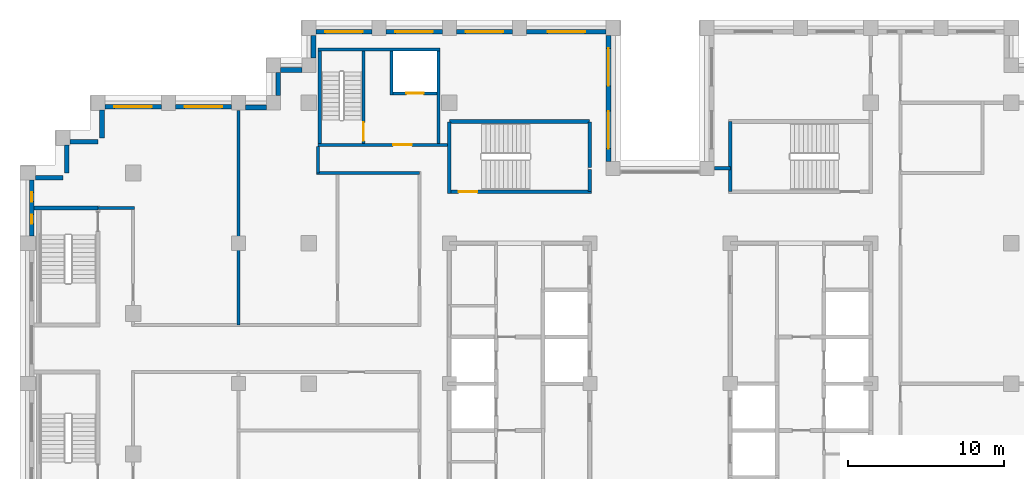
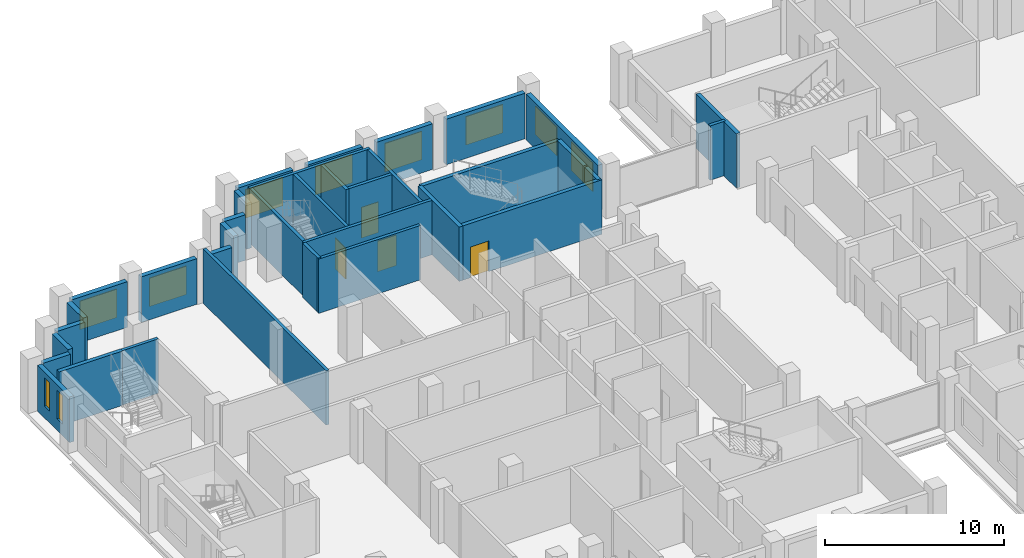
# One storey, part 10 of 15: 35 walls, 10 windows, 4 doors, 14 openings.
"""IFC4 building model written with IfcOpenShell, lengths in metres."""

from ifc_helpers import new_model, si_unit, direction, frame, frame_2d, origin, place, context, subcontext, project, spatial, rectangle, extrude, material, layer, layer_set, type_object, element, fill, save


model = new_model("IFC4")

# Units and contexts
model_context = context("Model", 3, precision=1e-05, world=origin(), true_north=direction((0.0, 1.0)))
body_context = subcontext(model_context, "Body", "Model", "MODEL_VIEW")
ifc_project = project(units=[si_unit("LENGTHUNIT", "METRE"), si_unit("AREAUNIT", "SQUARE_METRE"), si_unit("VOLUMEUNIT", "CUBIC_METRE"), si_unit("PLANEANGLEUNIT", "RADIAN"), si_unit("MASSUNIT", "GRAM", prefix="KILO")], contexts=[model_context])

# Site, building, storey
site_placement = place(None, origin())
site = spatial("IfcSite", under=ifc_project, at=site_placement, CompositionType="ELEMENT")
building_placement = place(site_placement, origin())
building = spatial("IfcBuilding", under=site, at=building_placement, Name="Corbelhall Arena Tower", CompositionType="ELEMENT")
storey_placement = place(building_placement, frame((0.0, 0.0, 216.0)))
storey = spatial("IfcBuildingStorey", under=building, at=storey_placement, Name="L45", CompositionType="ELEMENT", Elevation=216.0)

# Walls
ifc_material_1 = material(Name="Precast concrete C40/50 with granite facing", Category="masonry")
ifc_layer_1 = layer(ifc_material_1, 0.300048828125)
ifc_layer_set_1 = layer_set([ifc_layer_1], Name="EV-IW1 Infill panel 300")
wall_type_1 = type_object("IfcWallType", Name="EV-IW1 Infill panel 300", PredefinedType="SOLIDWALL", material=ifc_layer_set_1)
for number, where, z_axis, x_axis, name in (
    (1, (-35.75, 17.550048828125, 0.0), (0.0, 0.0, 1.0), (0.0, -1.0, 0.0), "Infill panel IW1"),
    (2, (-37.800048828125, 15.5, 0.0), (0.0, 0.0, 1.0), (1.0, 0.0, 0.0), "Infill panel IW1"),
    (3, (-38.0, 15.300048828125, 0.0), (0.0, 0.0, 1.0), (0.0, -1.0, 0.0), "Infill panel IW1"),
):
    element("IfcWall", number, at=place(storey_placement, frame(where, z_axis=z_axis, x_axis=x_axis)), inside=storey, type_object=wall_type_1, Name=name, PredefinedType="SOLIDWALL", context=body_context, shape_type="SweptSolid", body=[
        extrude(rectangle(XDim=1.800048828125, YDim=0.300048828125, at=frame_2d((0.89990234375, 0.0))), origin(), (0.0, 0.0, 1.0), 3.1201171875),
    ])
wall_1_placement = place(storey_placement, frame((-40.0, 13.199951171875, 0.0), z_axis=(0.0, 0.0, 1.0), x_axis=(1.0, 0.0, 0.0)))
element("IfcWall", 4, at=wall_1_placement, inside=storey, type_object=wall_type_1, Name="Infill panel IW1", PredefinedType="SOLIDWALL", context=body_context, shape_type="SweptSolid", body=[
    extrude(rectangle(XDim=1.75, YDim=0.300048828125, at=frame_2d((0.875, 0.0))), origin(), (0.0, 0.0, 1.0), 3.1201171875),
])
wall_2_placement = place(storey_placement, frame((-22.949951171875, 20.10009765625, 0.0), z_axis=(0.0, 0.0, 1.0), x_axis=(-1.0, 0.0, 0.0)))
element("IfcWall", 5, at=wall_2_placement, inside=storey, type_object=wall_type_1, Name="Infill panel IW1", PredefinedType="SOLIDWALL", context=body_context, shape_type="SweptSolid", body=[
    extrude(rectangle(XDim=1.35009765625, YDim=0.300048828125, at=frame_2d((0.675048828125, 0.0))), origin(), (0.0, 0.0, 1.0), 3.1201171875),
])
wall_3_placement = place(storey_placement, frame((-24.449951171875, 19.949951171875, 0.0), z_axis=(0.0, 0.0, 1.0), x_axis=(0.0, -1.0, 0.0)))
element("IfcWall", 6, at=wall_3_placement, inside=storey, type_object=wall_type_1, Name="Infill panel IW1", PredefinedType="SOLIDWALL", context=body_context, shape_type="SweptSolid", body=[
    extrude(rectangle(XDim=1.5, YDim=0.300048828125, at=frame_2d((0.75, 0.0))), origin(), (0.0, 0.0, 1.0), 3.1201171875),
])
wall_4_placement = place(storey_placement, frame((-25.199951171875, 17.699951171875, 0.0), z_axis=(0.0, 0.0, 1.0), x_axis=(-1.0, 0.0, 0.0)))
element("IfcWall", 7, at=wall_4_placement, inside=storey, type_object=wall_type_1, Name="Infill panel IW1", PredefinedType="SOLIDWALL", context=body_context, shape_type="SweptSolid", body=[
    extrude(rectangle(XDim=1.35009765625, YDim=0.300048828125, at=frame_2d((0.675048828125, 0.0))), origin(), (0.0, 0.0, 1.0), 3.1201171875),
])

# Wall, opening, window
wall_5_placement = place(storey_placement, frame((-27.449951171875, 17.75, 0.0), z_axis=(0.0, 0.0, 1.0), x_axis=(-1.0, 0.0, 0.0)))
wall_5 = element("IfcWall", 8, at=wall_5_placement, inside=storey, type_object=wall_type_1, Name="Infill panel IW1", PredefinedType="SOLIDWALL", context=body_context, shape_type="SweptSolid", body=[
    extrude(rectangle(XDim=3.60009765625, YDim=0.300048828125, at=frame_2d((1.800048828125, 0.0))), origin(), (0.0, 0.0, 1.0), 3.1201171875),
])
opening_1_placement = place(wall_5_placement, frame((0.60009765625, 0.0, 0.800048828125)))
opening_1 = element("IfcOpeningElement", 9, at=opening_1_placement, cuts=wall_5, Name="Opening WN1", PredefinedType="OPENING", context=body_context, shape_type="SweptSolid", body=[
    extrude(rectangle(XDim=2.39990234375, YDim=1.949951171875, at=frame_2d((1.199951171875, 0.97509765625))), frame((0.0, 0.14990234375, 0.0), z_axis=(0.0, -1.0, 0.0), x_axis=(1.0, 0.0, 0.0)), (0.0, 0.0, 1.0), 0.300048828125),
])
ifc_material_2 = material(Name="Aluminium black anodised", Category="aluminium")
window_type_1 = type_object("IfcWindowType", Name="EV-WN1 Office window", PartitioningType="SINGLE_PANEL", PredefinedType="WINDOW", material=ifc_material_2)
window_1_placement = place(opening_1_placement, origin())
window_1 = element("IfcWindow", 10, at=window_1_placement, inside=storey, type_object=window_type_1, Name="Window WN1", OverallHeight=1.949951171875, OverallWidth=2.39990234375, PartitioningType="SINGLE_PANEL", PredefinedType="WINDOW", context=body_context, shape_type="SweptSolid", body=[
    extrude(rectangle(XDim=2.39990234375, YDim=1.949951171875, at=frame_2d((1.199951171875, 0.97509765625))), frame((0.0, 0.030029296875, 0.0), z_axis=(0.0, -1.0, 0.0), x_axis=(1.0, 0.0, 0.0)), (0.0, 0.0, 1.0), 0.06005859375),
])
fill(opening_1, window_1)

wall_6_placement = place(storey_placement, frame((-31.949951171875, 17.75, 0.0), z_axis=(0.0, 0.0, 1.0), x_axis=(-1.0, 0.0, 0.0)))
wall_6 = element("IfcWall", 11, at=wall_6_placement, inside=storey, type_object=wall_type_1, Name="Infill panel IW1", PredefinedType="SOLIDWALL", context=body_context, shape_type="SweptSolid", body=[
    extrude(rectangle(XDim=3.60009765625, YDim=0.300048828125, at=frame_2d((1.800048828125, 0.0))), origin(), (0.0, 0.0, 1.0), 3.1201171875),
])
opening_2_placement = place(wall_6_placement, frame((0.60009765625, 0.0, 0.800048828125)))
opening_2 = element("IfcOpeningElement", 12, at=opening_2_placement, cuts=wall_6, Name="Opening WN1", PredefinedType="OPENING", context=body_context, shape_type="SweptSolid", body=[
    extrude(rectangle(XDim=2.39990234375, YDim=1.949951171875, at=frame_2d((1.199951171875, 0.97509765625))), frame((0.0, 0.14990234375, 0.0), z_axis=(0.0, -1.0, 0.0), x_axis=(1.0, 0.0, 0.0)), (0.0, 0.0, 1.0), 0.300048828125),
])
window_2_placement = place(opening_2_placement, origin())
window_2 = element("IfcWindow", 13, at=window_2_placement, inside=storey, type_object=window_type_1, Name="Window WN1", OverallHeight=1.949951171875, OverallWidth=2.39990234375, PartitioningType="SINGLE_PANEL", PredefinedType="WINDOW", context=body_context, shape_type="SweptSolid", body=[
    extrude(rectangle(XDim=2.39990234375, YDim=1.949951171875, at=frame_2d((1.199951171875, 0.97509765625))), frame((0.0, 0.030029296875, 0.0), z_axis=(0.0, -1.0, 0.0), x_axis=(1.0, 0.0, 0.0)), (0.0, 0.0, 1.0), 0.06005859375),
])
fill(opening_2, window_2)

# Wall, openings, windows
wall_7_placement = place(storey_placement, frame((-40.25, 13.050048828125, 0.0), z_axis=(0.0, 0.0, 1.0), x_axis=(0.0, -1.0, 0.0)))
wall_7 = element("IfcWall", 14, at=wall_7_placement, inside=storey, type_object=wall_type_1, Name="Infill panel IW1", PredefinedType="SOLIDWALL", context=body_context, shape_type="SweptSolid", body=[
    extrude(rectangle(XDim=3.60009765625, YDim=0.300048828125, at=frame_2d((1.800048828125, 0.0))), origin(), (0.0, 0.0, 1.0), 3.1201171875),
])
opening_3_placement = place(wall_7_placement, frame((0.78759765625, 0.0, 0.800048828125)))
opening_3 = element("IfcOpeningElement", 15, at=opening_3_placement, cuts=wall_7, Name="Opening WN5", PredefinedType="OPENING", context=body_context, shape_type="SweptSolid", body=[
    extrude(rectangle(XDim=0.60009765625, YDim=1.949951171875, at=frame_2d((0.300048828125, 0.97509765625))), frame((0.0, 0.14990234375, 0.0), z_axis=(0.0, -1.0, 0.0), x_axis=(1.0, 0.0, 0.0)), (0.0, 0.0, 1.0), 0.300048828125),
])
opening_4_placement = place(wall_7_placement, frame((2.21240234375, 0.0, 0.800048828125)))
opening_4 = element("IfcOpeningElement", 16, at=opening_4_placement, cuts=wall_7, Name="Opening WN5", PredefinedType="OPENING", context=body_context, shape_type="SweptSolid", body=[
    extrude(rectangle(XDim=0.60009765625, YDim=1.949951171875, at=frame_2d((0.300048828125, 0.97509765625))), frame((0.0, 0.14990234375, 0.0), z_axis=(0.0, -1.0, 0.0), x_axis=(1.0, 0.0, 0.0)), (0.0, 0.0, 1.0), 0.300048828125),
])
window_type_2 = type_object("IfcWindowType", Name="EV-WN5 Office window 600", PartitioningType="SINGLE_PANEL", PredefinedType="WINDOW", material=ifc_material_2)
window_3_placement = place(opening_3_placement, origin())
window_3 = element("IfcWindow", 17, at=window_3_placement, inside=storey, type_object=window_type_2, Name="Window WN5", OverallHeight=1.949951171875, OverallWidth=0.60009765625, PartitioningType="SINGLE_PANEL", PredefinedType="WINDOW", context=body_context, shape_type="SweptSolid", body=[
    extrude(rectangle(XDim=0.60009765625, YDim=1.949951171875, at=frame_2d((0.300048828125, 0.97509765625))), frame((0.0, 0.030029296875, 0.0), z_axis=(0.0, -1.0, 0.0), x_axis=(1.0, 0.0, 0.0)), (0.0, 0.0, 1.0), 0.06005859375),
])
fill(opening_3, window_3)
window_4_placement = place(opening_4_placement, origin())
window_4 = element("IfcWindow", 18, at=window_4_placement, inside=storey, type_object=window_type_2, Name="Window WN5", OverallHeight=1.949951171875, OverallWidth=0.60009765625, PartitioningType="SINGLE_PANEL", PredefinedType="WINDOW", context=body_context, shape_type="SweptSolid", body=[
    extrude(rectangle(XDim=0.60009765625, YDim=1.949951171875, at=frame_2d((0.300048828125, 0.97509765625))), frame((0.0, 0.030029296875, 0.0), z_axis=(0.0, -1.0, 0.0), x_axis=(1.0, 0.0, 0.0)), (0.0, 0.0, 1.0), 0.06005859375),
])
fill(opening_4, window_4)

wall_8_placement = place(storey_placement, frame((-3.300048828125, 14.25, 0.0), z_axis=(0.0, 0.0, 1.0), x_axis=(0.0, 1.0, 0.0)))
wall_8 = element("IfcWall", 19, at=wall_8_placement, inside=storey, type_object=wall_type_1, Name="Infill panel IW1", PredefinedType="SOLIDWALL", context=body_context, shape_type="SweptSolid", body=[
    extrude(rectangle(XDim=8.050048828125, YDim=0.300048828125, at=frame_2d((4.02490234375, 0.0))), origin(), (0.0, 0.0, 1.0), 3.1201171875),
])
opening_5_placement = place(wall_8_placement, frame((0.8125, 0.0, 0.800048828125)))
opening_5 = element("IfcOpeningElement", 20, at=opening_5_placement, cuts=wall_8, Name="Opening WN1", PredefinedType="OPENING", context=body_context, shape_type="SweptSolid", body=[
    extrude(rectangle(XDim=2.39990234375, YDim=1.949951171875, at=frame_2d((1.199951171875, 0.97509765625))), frame((0.0, 0.14990234375, 0.0), z_axis=(0.0, -1.0, 0.0), x_axis=(1.0, 0.0, 0.0)), (0.0, 0.0, 1.0), 0.300048828125),
])
opening_6_placement = place(wall_8_placement, frame((4.83740234375, 0.0, 0.800048828125)))
opening_6 = element("IfcOpeningElement", 21, at=opening_6_placement, cuts=wall_8, Name="Opening WN1", PredefinedType="OPENING", context=body_context, shape_type="SweptSolid", body=[
    extrude(rectangle(XDim=2.39990234375, YDim=1.949951171875, at=frame_2d((1.199951171875, 0.97509765625))), frame((0.0, 0.14990234375, 0.0), z_axis=(0.0, -1.0, 0.0), x_axis=(1.0, 0.0, 0.0)), (0.0, 0.0, 1.0), 0.300048828125),
])
window_5_placement = place(opening_5_placement, origin())
window_5 = element("IfcWindow", 22, at=window_5_placement, inside=storey, type_object=window_type_1, Name="Window WN1", OverallHeight=1.949951171875, OverallWidth=2.39990234375, PartitioningType="SINGLE_PANEL", PredefinedType="WINDOW", context=body_context, shape_type="SweptSolid", body=[
    extrude(rectangle(XDim=2.39990234375, YDim=1.949951171875, at=frame_2d((1.199951171875, 0.97509765625))), frame((0.0, 0.030029296875, 0.0), z_axis=(0.0, -1.0, 0.0), x_axis=(1.0, 0.0, 0.0)), (0.0, 0.0, 1.0), 0.06005859375),
])
fill(opening_5, window_5)
window_6_placement = place(opening_6_placement, origin())
window_6 = element("IfcWindow", 23, at=window_6_placement, inside=storey, type_object=window_type_1, Name="Window WN1", OverallHeight=1.949951171875, OverallWidth=2.39990234375, PartitioningType="SINGLE_PANEL", PredefinedType="WINDOW", context=body_context, shape_type="SweptSolid", body=[
    extrude(rectangle(XDim=2.39990234375, YDim=1.949951171875, at=frame_2d((1.199951171875, 0.97509765625))), frame((0.0, 0.030029296875, 0.0), z_axis=(0.0, -1.0, 0.0), x_axis=(1.0, 0.0, 0.0)), (0.0, 0.0, 1.0), 0.06005859375),
])
fill(opening_6, window_6)

# Wall, opening, window
wall_9_placement = place(storey_placement, frame((-3.449951171875, 22.550048828125, 0.0), z_axis=(0.0, 0.0, 1.0), x_axis=(-1.0, 0.0, 0.0)))
wall_9 = element("IfcWall", 24, at=wall_9_placement, inside=storey, type_object=wall_type_1, Name="Infill panel IW1", PredefinedType="SOLIDWALL", context=body_context, shape_type="SweptSolid", body=[
    extrude(rectangle(XDim=5.10009765625, YDim=0.300048828125, at=frame_2d((2.550048828125, 0.0))), origin(), (0.0, 0.0, 1.0), 3.1201171875),
])
opening_7_placement = place(wall_9_placement, frame((1.35009765625, 0.0, 0.800048828125)))
opening_7 = element("IfcOpeningElement", 25, at=opening_7_placement, cuts=wall_9, Name="Opening WN1", PredefinedType="OPENING", context=body_context, shape_type="SweptSolid", body=[
    extrude(rectangle(XDim=2.39990234375, YDim=1.949951171875, at=frame_2d((1.199951171875, 0.97509765625))), frame((0.0, 0.14990234375, 0.0), z_axis=(0.0, -1.0, 0.0), x_axis=(1.0, 0.0, 0.0)), (0.0, 0.0, 1.0), 0.300048828125),
])
window_7_placement = place(opening_7_placement, origin())
window_7 = element("IfcWindow", 26, at=window_7_placement, inside=storey, type_object=window_type_1, Name="Window WN1", OverallHeight=1.949951171875, OverallWidth=2.39990234375, PartitioningType="SINGLE_PANEL", PredefinedType="WINDOW", context=body_context, shape_type="SweptSolid", body=[
    extrude(rectangle(XDim=2.39990234375, YDim=1.949951171875, at=frame_2d((1.199951171875, 0.97509765625))), frame((0.0, 0.030029296875, 0.0), z_axis=(0.0, -1.0, 0.0), x_axis=(1.0, 0.0, 0.0)), (0.0, 0.0, 1.0), 0.06005859375),
])
fill(opening_7, window_7)

wall_10_placement = place(storey_placement, frame((-9.449951171875, 22.550048828125, 0.0), z_axis=(0.0, 0.0, 1.0), x_axis=(-1.0, 0.0, 0.0)))
wall_10 = element("IfcWall", 27, at=wall_10_placement, inside=storey, type_object=wall_type_1, Name="Infill panel IW1", PredefinedType="SOLIDWALL", context=body_context, shape_type="SweptSolid", body=[
    extrude(rectangle(XDim=3.60009765625, YDim=0.300048828125, at=frame_2d((1.800048828125, 0.0))), origin(), (0.0, 0.0, 1.0), 3.1201171875),
])
opening_8_placement = place(wall_10_placement, frame((0.60009765625, 0.0, 0.800048828125)))
opening_8 = element("IfcOpeningElement", 28, at=opening_8_placement, cuts=wall_10, Name="Opening WN1", PredefinedType="OPENING", context=body_context, shape_type="SweptSolid", body=[
    extrude(rectangle(XDim=2.39990234375, YDim=1.949951171875, at=frame_2d((1.199951171875, 0.97509765625))), frame((0.0, 0.14990234375, 0.0), z_axis=(0.0, -1.0, 0.0), x_axis=(1.0, 0.0, 0.0)), (0.0, 0.0, 1.0), 0.300048828125),
])
window_8_placement = place(opening_8_placement, origin())
window_8 = element("IfcWindow", 29, at=window_8_placement, inside=storey, type_object=window_type_1, Name="Window WN1", OverallHeight=1.949951171875, OverallWidth=2.39990234375, PartitioningType="SINGLE_PANEL", PredefinedType="WINDOW", context=body_context, shape_type="SweptSolid", body=[
    extrude(rectangle(XDim=2.39990234375, YDim=1.949951171875, at=frame_2d((1.199951171875, 0.97509765625))), frame((0.0, 0.030029296875, 0.0), z_axis=(0.0, -1.0, 0.0), x_axis=(1.0, 0.0, 0.0)), (0.0, 0.0, 1.0), 0.06005859375),
])
fill(opening_8, window_8)

wall_11_placement = place(storey_placement, frame((-13.949951171875, 22.550048828125, 0.0), z_axis=(0.0, 0.0, 1.0), x_axis=(-1.0, 0.0, 0.0)))
wall_11 = element("IfcWall", 30, at=wall_11_placement, inside=storey, type_object=wall_type_1, Name="Infill panel IW1", PredefinedType="SOLIDWALL", context=body_context, shape_type="SweptSolid", body=[
    extrude(rectangle(XDim=3.60009765625, YDim=0.300048828125, at=frame_2d((1.800048828125, 0.0))), origin(), (0.0, 0.0, 1.0), 3.1201171875),
])
opening_9_placement = place(wall_11_placement, frame((0.60009765625, 0.0, 0.800048828125)))
opening_9 = element("IfcOpeningElement", 31, at=opening_9_placement, cuts=wall_11, Name="Opening WN1", PredefinedType="OPENING", context=body_context, shape_type="SweptSolid", body=[
    extrude(rectangle(XDim=2.39990234375, YDim=1.949951171875, at=frame_2d((1.199951171875, 0.97509765625))), frame((0.0, 0.14990234375, 0.0), z_axis=(0.0, -1.0, 0.0), x_axis=(1.0, 0.0, 0.0)), (0.0, 0.0, 1.0), 0.300048828125),
])
window_9_placement = place(opening_9_placement, origin())
window_9 = element("IfcWindow", 32, at=window_9_placement, inside=storey, type_object=window_type_1, Name="Window WN1", OverallHeight=1.949951171875, OverallWidth=2.39990234375, PartitioningType="SINGLE_PANEL", PredefinedType="WINDOW", context=body_context, shape_type="SweptSolid", body=[
    extrude(rectangle(XDim=2.39990234375, YDim=1.949951171875, at=frame_2d((1.199951171875, 0.97509765625))), frame((0.0, 0.030029296875, 0.0), z_axis=(0.0, -1.0, 0.0), x_axis=(1.0, 0.0, 0.0)), (0.0, 0.0, 1.0), 0.06005859375),
])
fill(opening_9, window_9)

wall_12_placement = place(storey_placement, frame((-18.449951171875, 22.550048828125, 0.0), z_axis=(0.0, 0.0, 1.0), x_axis=(-1.0, 0.0, 0.0)))
wall_12 = element("IfcWall", 33, at=wall_12_placement, inside=storey, type_object=wall_type_1, Name="Infill panel IW1", PredefinedType="SOLIDWALL", context=body_context, shape_type="SweptSolid", body=[
    extrude(rectangle(XDim=3.60009765625, YDim=0.300048828125, at=frame_2d((1.800048828125, 0.0))), origin(), (0.0, 0.0, 1.0), 3.1201171875),
])
opening_10_placement = place(wall_12_placement, frame((0.60009765625, 0.0, 0.800048828125)))
opening_10 = element("IfcOpeningElement", 34, at=opening_10_placement, cuts=wall_12, Name="Opening WN1", PredefinedType="OPENING", context=body_context, shape_type="SweptSolid", body=[
    extrude(rectangle(XDim=2.39990234375, YDim=1.949951171875, at=frame_2d((1.199951171875, 0.97509765625))), frame((0.0, 0.14990234375, 0.0), z_axis=(0.0, -1.0, 0.0), x_axis=(1.0, 0.0, 0.0)), (0.0, 0.0, 1.0), 0.300048828125),
])
window_10_placement = place(opening_10_placement, origin())
window_10 = element("IfcWindow", 35, at=window_10_placement, inside=storey, type_object=window_type_1, Name="Window WN1", OverallHeight=1.949951171875, OverallWidth=2.39990234375, PartitioningType="SINGLE_PANEL", PredefinedType="WINDOW", context=body_context, shape_type="SweptSolid", body=[
    extrude(rectangle(XDim=2.39990234375, YDim=1.949951171875, at=frame_2d((1.199951171875, 0.97509765625))), frame((0.0, 0.030029296875, 0.0), z_axis=(0.0, -1.0, 0.0), x_axis=(1.0, 0.0, 0.0)), (0.0, 0.0, 1.0), 0.06005859375),
])
fill(opening_10, window_10)

# Walls
wall_13_placement = place(storey_placement, frame((-22.199951171875, 22.300048828125, 0.0), z_axis=(0.0, 0.0, 1.0), x_axis=(0.0, -1.0, 0.0)))
element("IfcWall", 36, at=wall_13_placement, inside=storey, type_object=wall_type_1, Name="Infill panel IW1", PredefinedType="SOLIDWALL", context=body_context, shape_type="SweptSolid", body=[
    extrude(rectangle(XDim=1.449951171875, YDim=0.300048828125, at=frame_2d((0.72509765625, 0.0))), origin(), (0.0, 0.0, 1.0), 3.1201171875),
])
ifc_material_3 = material(Name="Gypsum board on steel stud, acoustic", Category="steel")
ifc_layer_2 = layer(ifc_material_3, 0.199951171875)
ifc_layer_set_2 = layer_set([ifc_layer_2], Name="IN-W-DM200")
wall_type_2 = type_object("IfcWallType", Name="IN-W-DM200", PredefinedType="PARTITIONING", material=ifc_layer_set_2)
wall_14_placement = place(storey_placement, frame((-36.0, 11.25, 0.0), z_axis=(0.0, 0.0, 1.0), x_axis=(1.0, 0.0, 0.0)))
element("IfcWall", 37, at=wall_14_placement, inside=storey, type_object=wall_type_2, Name="Partition 001", PredefinedType="PARTITIONING", context=body_context, shape_type="SweptSolid", body=[
    extrude(rectangle(XDim=2.35009765625, YDim=0.199951171875, at=frame_2d((1.175048828125, 0.0))), origin(), (0.0, 0.0, 1.0), 3.719970703125),
])
wall_15_placement = place(storey_placement, frame((-27.0, 3.75, 0.0), z_axis=(0.0, 0.0, 1.0), x_axis=(0.0, 1.0, 0.0)))
element("IfcWall", 38, at=wall_15_placement, inside=storey, type_object=wall_type_2, Name="Partition 010", PredefinedType="PARTITIONING", context=body_context, shape_type="SweptSolid", body=[
    extrude(rectangle(XDim=13.75, YDim=0.199951171875, at=frame_2d((6.875, 0.0))), origin(), (0.0, 0.0, 1.0), 3.719970703125),
])
wall_16_placement = place(storey_placement, frame((-21.89990234375, 13.5, 0.0), z_axis=(0.0, 0.0, 1.0), x_axis=(0.0, 1.0, 0.0)))
element("IfcWall", 39, at=wall_16_placement, inside=storey, type_object=wall_type_2, Name="Partition 012", PredefinedType="PARTITIONING", context=body_context, shape_type="SweptSolid", body=[
    extrude(rectangle(XDim=1.699951171875, YDim=0.199951171875, at=frame_2d((0.85009765625, 0.0))), origin(), (0.0, 0.0, 1.0), 3.719970703125),
])
wall_17_placement = place(storey_placement, frame((-15.39990234375, 13.5, 0.0), z_axis=(0.0, 0.0, 1.0), x_axis=(-1.0, 0.0, 0.0)))
element("IfcWall", 40, at=wall_17_placement, inside=storey, type_object=wall_type_2, Name="Partition 014", PredefinedType="PARTITIONING", context=body_context, shape_type="SweptSolid", body=[
    extrude(rectangle(XDim=6.60009765625, YDim=0.199951171875, at=frame_2d((3.300048828125, 0.0))), origin(), (0.0, 0.0, 1.0), 3.719970703125),
])
wall_18_placement = place(storey_placement, frame((3.50048828125, 13.800048828125, 0.0), z_axis=(0.0, 0.0, 1.0), x_axis=(1.0, 0.0, 0.0)))
element("IfcWall", 41, at=wall_18_placement, inside=storey, type_object=wall_type_2, Name="Partition 021", PredefinedType="PARTITIONING", context=body_context, shape_type="SweptSolid", body=[
    extrude(rectangle(XDim=0.9990234375, YDim=0.199951171875, at=frame_2d((0.49951171875, 0.0))), origin(), (0.0, 0.0, 1.0), 3.719970703125),
])

# Wall, opening, door
ifc_material_4 = material(Name="Concrete C40/50", Category="concrete")
ifc_layer_3 = layer(ifc_material_4, 0.199951171875)
ifc_layer_set_3 = layer_set([ifc_layer_3], Name="IN-W-EAR200")
wall_type_3 = type_object("IfcWallType", Name="IN-W-EAR200", PredefinedType="SOLIDWALL", material=ifc_layer_set_3)
wall_19_placement = place(storey_placement, frame((-21.89990234375, 15.300048828125, 0.0), z_axis=(0.0, 0.0, 1.0), x_axis=(1.0, 0.0, 0.0)))
wall_19 = element("IfcWall", 42, at=wall_19_placement, inside=storey, type_object=wall_type_3, Name="Fire service turret wall south", PredefinedType="SOLIDWALL", context=body_context, shape_type="SweptSolid", body=[
    extrude(rectangle(XDim=8.27490234375, YDim=0.199951171875, at=frame_2d((4.137451171875, 0.0))), origin(), (0.0, 0.0, 1.0), 3.719970703125),
])
opening_11_placement = place(wall_19_placement, frame((4.800048828125, 0.0, 0.0)))
opening_11 = element("IfcOpeningElement", 43, at=opening_11_placement, cuts=wall_19, Name="Opening E132", PredefinedType="OPENING", context=body_context, shape_type="SweptSolid", body=[
    extrude(rectangle(XDim=1.199951171875, YDim=2.10009765625, at=frame_2d((0.60009765625, 1.050048828125))), frame((0.0, 0.10009765625, 0.0), z_axis=(0.0, -1.0, 0.0), x_axis=(1.0, 0.0, 0.0)), (0.0, 0.0, 1.0), 0.199951171875),
])
ifc_material_5 = material(Name="Steel door set", Category="steel")
door_type_1 = type_object("IfcDoorType", Name="IN-D-ST120", OperationType="NOTDEFINED", PredefinedType="DOOR", material=ifc_material_5)
door_1_placement = place(opening_11_placement, origin())
door_1 = element("IfcDoor", 44, at=door_1_placement, inside=storey, type_object=door_type_1, Name="Door from fire service lift lobby to circulation", OperationType="SINGLE_SWING_RIGHT", OverallHeight=2.10009765625, OverallWidth=1.199951171875, PredefinedType="DOOR", context=body_context, shape_type="SweptSolid", body=[
    extrude(rectangle(XDim=1.199951171875, YDim=2.10009765625, at=frame_2d((0.60009765625, 1.050048828125))), frame((0.0, 0.02490234375, 0.0), z_axis=(0.0, -1.0, 0.0), x_axis=(1.0, 0.0, 0.0)), (0.0, 0.0, 1.0), 0.050048828125),
])
fill(opening_11, door_1)

# Walls
wall_20_placement = place(storey_placement, frame((-21.89990234375, 21.39990234375, 0.0), z_axis=(0.0, 0.0, 1.0), x_axis=(1.0, 0.0, 0.0)))
element("IfcWall", 45, at=wall_20_placement, inside=storey, type_object=wall_type_3, Name="Fire service turret wall north", PredefinedType="SOLIDWALL", context=body_context, shape_type="SweptSolid", body=[
    extrude(rectangle(XDim=7.7998046875, YDim=0.199951171875, at=frame_2d((3.89990234375, 0.0))), origin(), (0.0, 0.0, 1.0), 3.719970703125),
])
for number, where, z_axis, x_axis, name in (
    (46, (-21.800048828125, 15.39990234375, 0.0), (0.0, 0.0, 1.0), (0.0, 1.0, 0.0), "Fire service turret wall west"),
    (47, (-14.199951171875, 15.39990234375, 0.0), (0.0, 0.0, 1.0), (0.0, 1.0, 0.0), "Fire service turret wall east"),
):
    element("IfcWall", number, at=place(storey_placement, frame(where, z_axis=z_axis, x_axis=x_axis)), inside=storey, type_object=wall_type_3, Name=name, PredefinedType="SOLIDWALL", context=body_context, shape_type="SweptSolid", body=[
        extrude(rectangle(XDim=5.900146484375, YDim=0.199951171875, at=frame_2d((2.9501953125, 0.0))), origin(), (0.0, 0.0, 1.0), 3.719970703125),
    ])

# Wall, opening, door
wall_21_placement = place(storey_placement, frame((-18.989990234375, 15.39990234375, 0.0), z_axis=(0.0, 0.0, 1.0), x_axis=(0.0, 1.0, 0.0)))
wall_21 = element("IfcWall", 48, at=wall_21_placement, inside=storey, type_object=wall_type_3, Name="Fire service turret wall stair", PredefinedType="SOLIDWALL", context=body_context, shape_type="SweptSolid", body=[
    extrude(rectangle(XDim=5.900146484375, YDim=0.199951171875, at=frame_2d((2.9501953125, 0.0))), origin(), (0.0, 0.0, 1.0), 3.719970703125),
])
opening_12_placement = place(wall_21_placement, frame((0.14990234375, 0.0, 0.0)))
opening_12 = element("IfcOpeningElement", 49, at=opening_12_placement, cuts=wall_21, Name="Opening E131", PredefinedType="OPENING", context=body_context, shape_type="SweptSolid", body=[
    extrude(rectangle(XDim=1.199951171875, YDim=2.10009765625, at=frame_2d((0.60009765625, 1.050048828125))), frame((0.0, 0.10009765625, 0.0), z_axis=(0.0, -1.0, 0.0), x_axis=(1.0, 0.0, 0.0)), (0.0, 0.0, 1.0), 0.199951171875),
])
door_2_placement = place(opening_12_placement, origin())
door_2 = element("IfcDoor", 50, at=door_2_placement, inside=storey, type_object=door_type_1, Name="Stair door to fire service lobby", OperationType="SINGLE_SWING_LEFT", OverallHeight=2.10009765625, OverallWidth=1.199951171875, PredefinedType="DOOR", context=body_context, shape_type="SweptSolid", body=[
    extrude(rectangle(XDim=1.199951171875, YDim=2.10009765625, at=frame_2d((0.60009765625, 1.050048828125))), frame((0.0, 0.02490234375, 0.0), z_axis=(0.0, -1.0, 0.0), x_axis=(1.0, 0.0, 0.0)), (0.0, 0.0, 1.0), 0.050048828125),
])
fill(opening_12, door_2)

# Wall
wall_22_placement = place(storey_placement, frame((-17.199951171875, 18.5, 0.0), z_axis=(0.0, 0.0, 1.0), x_axis=(0.0, 1.0, 0.0)))
element("IfcWall", 51, at=wall_22_placement, inside=storey, type_object=wall_type_3, Name="Fire service turret wall hoistway west", PredefinedType="SOLIDWALL", context=body_context, shape_type="SweptSolid", body=[
    extrude(rectangle(XDim=2.800048828125, YDim=0.199951171875, at=frame_2d((1.39990234375, 0.0))), origin(), (0.0, 0.0, 1.0), 3.719970703125),
])

# Wall, opening, door
wall_23_placement = place(storey_placement, frame((-17.10009765625, 18.60009765625, 0.0), z_axis=(0.0, 0.0, 1.0), x_axis=(1.0, 0.0, 0.0)))
wall_23 = element("IfcWall", 52, at=wall_23_placement, inside=storey, type_object=wall_type_3, Name="Fire service turret wall hoistway south", PredefinedType="SOLIDWALL", context=body_context, shape_type="SweptSolid", body=[
    extrude(rectangle(XDim=2.800048828125, YDim=0.199951171875, at=frame_2d((1.39990234375, 0.0))), origin(), (0.0, 0.0, 1.0), 3.719970703125),
])
opening_13_placement = place(wall_23_placement, frame((0.85009765625, 0.0, 0.0)))
opening_13 = element("IfcOpeningElement", 53, at=opening_13_placement, cuts=wall_23, Name="Opening LD", PredefinedType="OPENING", context=body_context, shape_type="SweptSolid", body=[
    extrude(rectangle(XDim=1.10009765625, YDim=2.10009765625, at=frame_2d((0.550048828125, 1.050048828125))), frame((0.0, 0.10009765625, 0.0), z_axis=(0.0, -1.0, 0.0), x_axis=(1.0, 0.0, 0.0)), (0.0, 0.0, 1.0), 0.199951171875),
])
door_type_2 = type_object("IfcDoorType", Name="IN-D-LD110", OperationType="NOTDEFINED", PredefinedType="DOOR", material=ifc_material_5)
door_3_placement = place(opening_13_placement, origin())
door_3 = element("IfcDoor", 54, at=door_3_placement, inside=storey, type_object=door_type_2, Name="Landing door FS1", OperationType="SLIDING_TO_LEFT", OverallHeight=2.10009765625, OverallWidth=1.10009765625, PredefinedType="DOOR", context=body_context, shape_type="SweptSolid", body=[
    extrude(rectangle(XDim=1.10009765625, YDim=2.10009765625, at=frame_2d((0.550048828125, 1.050048828125))), frame((0.0, 0.02490234375, 0.0), z_axis=(0.0, -1.0, 0.0), x_axis=(1.0, 0.0, 0.0)), (0.0, 0.0, 1.0), 0.050048828125),
])
fill(opening_13, door_3)

# Wall
ifc_layer_4 = layer(ifc_material_4, 0.25)
ifc_layer_set_4 = layer_set([ifc_layer_4], Name="IN-W-ST250")
wall_type_4 = type_object("IfcWallType", Name="IN-W-ST250", PredefinedType="SOLIDWALL", material=ifc_layer_set_4)
wall_24_placement = place(storey_placement, frame((-40.10009765625, 11.25, 0.0), z_axis=(0.0, 0.0, 1.0), x_axis=(1.0, 0.0, 0.0)))
element("IfcWall", 55, at=wall_24_placement, inside=storey, type_object=wall_type_4, Name="Shaft wall 076", PredefinedType="SOLIDWALL", context=body_context, shape_type="SweptSolid", body=[
    extrude(rectangle(XDim=4.10009765625, YDim=0.25, at=frame_2d((2.050048828125, 0.0))), origin(), (0.0, 0.0, 1.0), 3.719970703125),
])

# Wall, opening, door
wall_25_placement = place(storey_placement, frame((-13.5, 12.300048828125, 0.0), z_axis=(0.0, 0.0, 1.0), x_axis=(1.0, 0.0, 0.0)))
wall_25 = element("IfcWall", 56, at=wall_25_placement, inside=storey, type_object=wall_type_4, Name="Shaft wall 082", PredefinedType="SOLIDWALL", context=body_context, shape_type="SweptSolid", body=[
    extrude(rectangle(XDim=9.125, YDim=0.25, at=frame_2d((4.5625, 0.0))), origin(), (0.0, 0.0, 1.0), 3.719970703125),
])
opening_14_placement = place(wall_25_placement, frame((0.60009765625, 0.0, 0.0)))
opening_14 = element("IfcOpeningElement", 57, at=opening_14_placement, cuts=wall_25, Name="Opening 13015", PredefinedType="OPENING", context=body_context, shape_type="SweptSolid", body=[
    extrude(rectangle(XDim=1.199951171875, YDim=2.10009765625, at=frame_2d((0.60009765625, 1.050048828125))), frame((0.0, 0.125, 0.0), z_axis=(0.0, -1.0, 0.0), x_axis=(1.0, 0.0, 0.0)), (0.0, 0.0, 1.0), 0.25),
])
door_4_placement = place(opening_14_placement, origin())
door_4 = element("IfcDoor", 58, at=door_4_placement, inside=storey, type_object=door_type_1, Name="Door 015", OperationType="SINGLE_SWING_RIGHT", OverallHeight=2.10009765625, OverallWidth=1.199951171875, PredefinedType="DOOR", context=body_context, shape_type="SweptSolid", body=[
    extrude(rectangle(XDim=1.199951171875, YDim=2.10009765625, at=frame_2d((0.60009765625, 1.050048828125))), frame((0.0, 0.02490234375, 0.0), z_axis=(0.0, -1.0, 0.0), x_axis=(1.0, 0.0, 0.0)), (0.0, 0.0, 1.0), 0.050048828125),
])
fill(opening_14, door_4)

# Walls
wall_26_placement = place(storey_placement, frame((-13.5, 16.780029296875, 0.0), z_axis=(0.0, 0.0, 1.0), x_axis=(0.0, -1.0, 0.0)))
element("IfcWall", 59, at=wall_26_placement, inside=storey, type_object=wall_type_4, Name="Shaft wall 083", PredefinedType="SOLIDWALL", context=body_context, shape_type="SweptSolid", body=[
    extrude(rectangle(XDim=4.60498046875, YDim=0.25, at=frame_2d((2.302490234375, 0.0))), origin(), (0.0, 0.0, 1.0), 3.719970703125),
])
wall_27_placement = place(storey_placement, frame((-13.47998046875, 16.800048828125, 0.0), z_axis=(0.0, 0.0, 1.0), x_axis=(1.0, 0.0, 0.0)))
element("IfcWall", 60, at=wall_27_placement, inside=storey, type_object=wall_type_4, Name="Shaft wall 084", PredefinedType="SOLIDWALL", context=body_context, shape_type="SweptSolid", body=[
    extrude(rectangle(XDim=8.9599609375, YDim=0.25, at=frame_2d((4.47998046875, 0.0))), origin(), (0.0, 0.0, 1.0), 3.719970703125),
])
wall_28_placement = place(storey_placement, frame((-4.5, 13.73291015625, 0.0), z_axis=(0.0, 0.0, 1.0), x_axis=(0.0, -1.0, 0.0)))
element("IfcWall", 61, at=wall_28_placement, inside=storey, type_object=wall_type_4, Name="Shaft wall 087", PredefinedType="SOLIDWALL", context=body_context, shape_type="SweptSolid", body=[
    extrude(rectangle(XDim=1.432861328125, YDim=0.25, at=frame_2d((0.71630859375, 0.0))), origin(), (0.0, 0.0, 1.0), 3.719970703125),
])
wall_29_placement = place(storey_placement, frame((-4.5, 16.780029296875, 0.0), z_axis=(0.0, 0.0, 1.0), x_axis=(0.0, -1.0, 0.0)))
element("IfcWall", 62, at=wall_29_placement, inside=storey, type_object=wall_type_4, Name="Shaft wall 088", PredefinedType="SOLIDWALL", context=body_context, shape_type="SweptSolid", body=[
    extrude(rectangle(XDim=2.9130859375, YDim=0.25, at=frame_2d((1.45654296875, 0.0))), origin(), (0.0, 0.0, 1.0), 3.719970703125),
])
wall_30_placement = place(storey_placement, frame((4.5, 12.300048828125, 0.0), z_axis=(0.0, 0.0, 1.0), x_axis=(0.0, 1.0, 0.0)))
element("IfcWall", 63, at=wall_30_placement, inside=storey, type_object=wall_type_4, Name="Shaft wall 093", PredefinedType="SOLIDWALL", context=body_context, shape_type="SweptSolid", body=[
    extrude(rectangle(XDim=4.5, YDim=0.25, at=frame_2d((2.25, 0.0))), origin(), (0.0, 0.0, 1.0), 3.719970703125),
])

save(model, "model.ifc")
